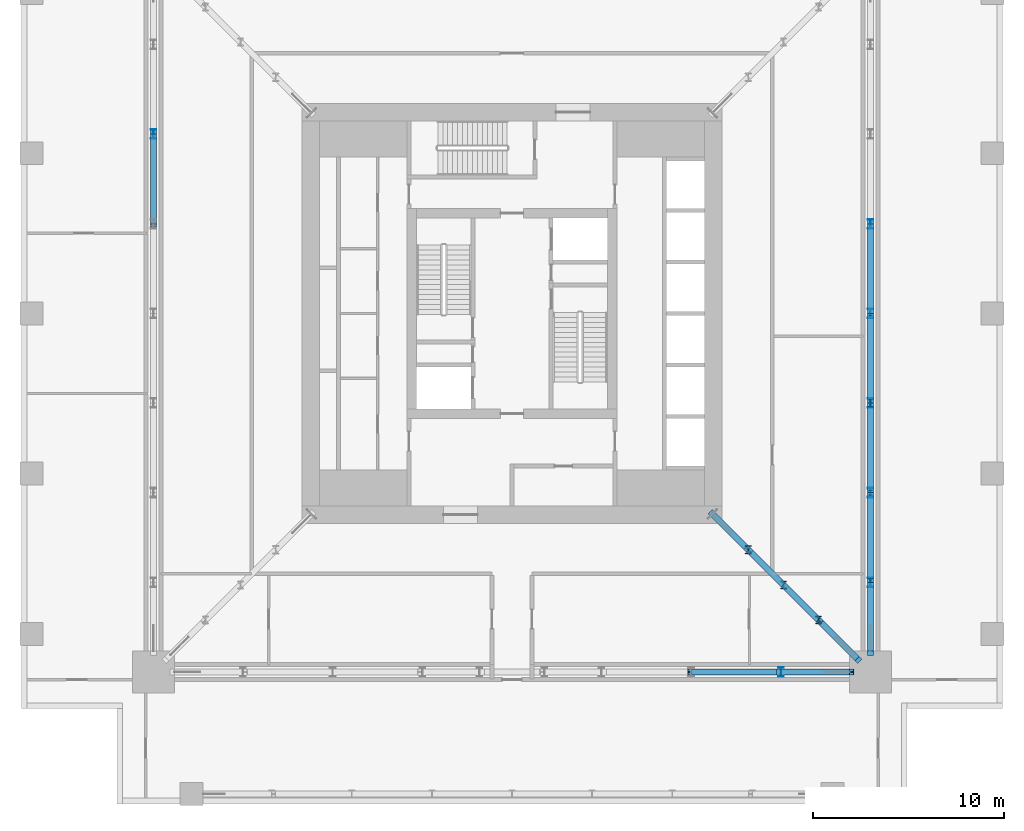
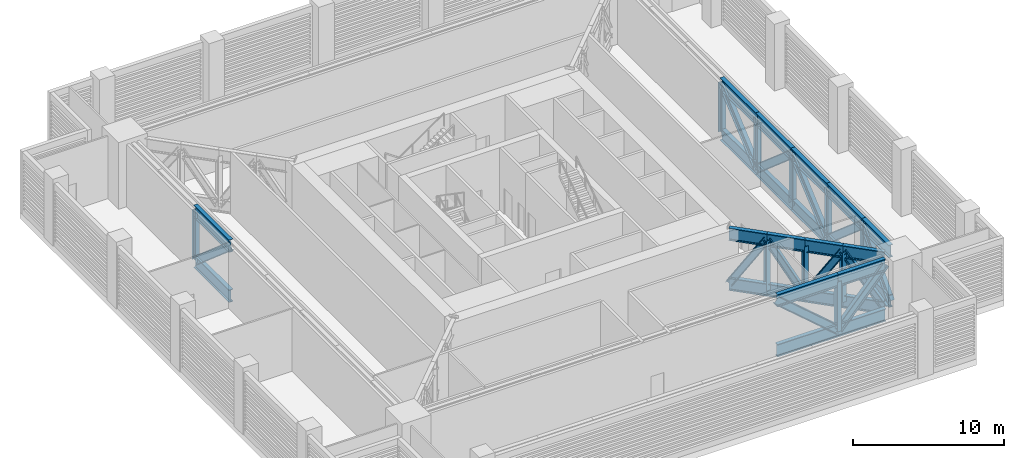
# One storey, part 3 of 16: 46 members.
"""IFC4 building model written with IfcOpenShell, lengths in metres."""

from ifc_helpers import new_model, si_unit, direction, frame, origin, origin_2d, place, context, subcontext, project, spatial, i_section, extrude, material, material_profile, profile_set, type_object, element, save


model = new_model("IFC4")

# Units and contexts
model_context = context("Model", 3, precision=1e-05, world=origin(), true_north=direction((0.0, 1.0)))
body_context = subcontext(model_context, "Body", "Model", "MODEL_VIEW")
ifc_project = project(units=[si_unit("LENGTHUNIT", "METRE"), si_unit("AREAUNIT", "SQUARE_METRE"), si_unit("VOLUMEUNIT", "CUBIC_METRE"), si_unit("PLANEANGLEUNIT", "RADIAN"), si_unit("MASSUNIT", "GRAM", prefix="KILO")], contexts=[model_context])

# Site, building, storey
site_placement = place(None, origin())
site = spatial("IfcSite", under=ifc_project, at=site_placement, CompositionType="ELEMENT")
building_placement = place(site_placement, origin())
building = spatial("IfcBuilding", under=site, at=building_placement, Name="Khepri Terraces", CompositionType="ELEMENT")
storey_placement = place(building_placement, frame((0.0, 0.0, 287.39990234375)))
storey = spatial("IfcBuildingStorey", under=building, at=storey_placement, Name="L69", CompositionType="ELEMENT", Elevation=287.39990234375)

# Members
ifc_material = material(Name="Steel S355", Category="steel")
ifc_material_profile_1 = material_profile(ifc_material, i_section(OverallWidth=0.302001953125, OverallDepth=1.008056640625, WebThickness=0.02099609375, FlangeThickness=0.0400390625, FilletRadius=0.030029296875, at=origin_2d()), Name="Steel S355", Category="steel")
ifc_profile_set_1 = profile_set([ifc_material_profile_1], Name="Steel S355")
member_type_1 = type_object("IfcMemberType", Name="Belt truss chord HEM 1000", PredefinedType="CHORD", material=ifc_profile_set_1)
for number, where, z_axis, x_axis, name in (
    (1, (9.39990234375, -18.800048828125, 0.504150390625), (1.0, 0.0, 0.0), (0.0, 1.0, 0.0), "Belt truss chord BT-69-S bottom 8"),
    (2, (9.39990234375, -18.800048828125, 4.546142578125), (1.0, 0.0, 0.0), (0.0, 1.0, 0.0), "Belt truss chord BT-69-S top 8"),
):
    element("IfcMember", number, at=place(storey_placement, frame(where, z_axis=z_axis, x_axis=x_axis)), inside=storey, type_object=member_type_1, Name=name, PredefinedType="CHORD", context=body_context, shape_type="SweptSolid", body=[
        extrude(i_section(OverallWidth=0.302001953125, OverallDepth=1.008056640625, WebThickness=0.02099609375, FlangeThickness=0.0400390625, FilletRadius=0.030029296875, at=origin_2d()), origin(), (0.0, 0.0, 1.0), 4.7001953125),
    ])
for number, where, z_axis, x_axis, name in (
    (3, (14.10009765625, -18.800048828125, 0.504150390625), (1.0, 0.0, 0.0), (0.0, 1.0, 0.0), "Belt truss chord BT-69-S bottom 9"),
    (4, (14.10009765625, -18.800048828125, 4.546142578125), (1.0, 0.0, 0.0), (0.0, 1.0, 0.0), "Belt truss chord BT-69-S top 9"),
    (5, (18.800048828125, -17.699951171875, 0.504150390625), (0.0, 1.0, 0.0), (-1.0, 0.0, 0.0), "Belt truss chord BT-69-E bottom 1"),
    (6, (18.800048828125, -17.699951171875, 4.546142578125), (0.0, 1.0, 0.0), (-1.0, 0.0, 0.0), "Belt truss chord BT-69-E top 1"),
):
    element("IfcMember", number, at=place(storey_placement, frame(where, z_axis=z_axis, x_axis=x_axis)), inside=storey, type_object=member_type_1, Name=name, PredefinedType="CHORD", context=body_context, shape_type="SweptSolid", body=[
        extrude(i_section(OverallWidth=0.302001953125, OverallDepth=1.008056640625, WebThickness=0.02099609375, FlangeThickness=0.0400390625, FilletRadius=0.030029296875, at=origin_2d()), origin(), (0.0, 0.0, 1.0), 3.599853515625),
    ])
for number, where, z_axis, x_axis, name in (
    (7, (18.800048828125, -14.10009765625, 0.504150390625), (0.0, 1.0, 0.0), (-1.0, 0.0, 0.0), "Belt truss chord BT-69-E bottom 2"),
    (8, (18.800048828125, -14.10009765625, 4.546142578125), (0.0, 1.0, 0.0), (-1.0, 0.0, 0.0), "Belt truss chord BT-69-E top 2"),
):
    element("IfcMember", number, at=place(storey_placement, frame(where, z_axis=z_axis, x_axis=x_axis)), inside=storey, type_object=member_type_1, Name=name, PredefinedType="CHORD", context=body_context, shape_type="SweptSolid", body=[
        extrude(i_section(OverallWidth=0.302001953125, OverallDepth=1.008056640625, WebThickness=0.02099609375, FlangeThickness=0.0400390625, FilletRadius=0.030029296875, at=origin_2d()), origin(), (0.0, 0.0, 1.0), 4.7001953125),
    ])
for number, where, z_axis, x_axis, name in (
    (9, (18.800048828125, -9.39990234375, 0.504150390625), (0.0, 1.0, 0.0), (-1.0, 0.0, 0.0), "Belt truss chord BT-69-E bottom 3"),
    (10, (18.800048828125, -9.39990234375, 4.546142578125), (0.0, 1.0, 0.0), (-1.0, 0.0, 0.0), "Belt truss chord BT-69-E top 3"),
    (11, (18.800048828125, -4.699951171875, 0.504150390625), (0.0, 1.0, 0.0), (-1.0, 0.0, 0.0), "Belt truss chord BT-69-E bottom 4"),
    (12, (18.800048828125, -4.699951171875, 4.546142578125), (0.0, 1.0, 0.0), (-1.0, 0.0, 0.0), "Belt truss chord BT-69-E top 4"),
    (13, (18.800048828125, 0.0, 0.504150390625), (0.0, 1.0, 0.0), (-1.0, 0.0, 0.0), "Belt truss chord BT-69-E bottom 5"),
    (14, (18.800048828125, 0.0, 4.546142578125), (0.0, 1.0, 0.0), (-1.0, 0.0, 0.0), "Belt truss chord BT-69-E top 5"),
    (15, (-18.800048828125, 9.39990234375, 0.504150390625), (0.0, -1.0, 0.0), (1.0, 0.0, 0.0), "Belt truss chord BT-69-W bottom 3"),
    (16, (-18.800048828125, 9.39990234375, 4.546142578125), (0.0, -1.0, 0.0), (1.0, 0.0, 0.0), "Belt truss chord BT-69-W top 3"),
):
    element("IfcMember", number, at=place(storey_placement, frame(where, z_axis=z_axis, x_axis=x_axis)), inside=storey, type_object=member_type_1, Name=name, PredefinedType="CHORD", context=body_context, shape_type="SweptSolid", body=[
        extrude(i_section(OverallWidth=0.302001953125, OverallDepth=1.008056640625, WebThickness=0.02099609375, FlangeThickness=0.0400390625, FilletRadius=0.030029296875, at=origin_2d()), origin(), (0.0, 0.0, 1.0), 4.699951171875),
    ])
ifc_material_profile_2 = material_profile(ifc_material, i_section(OverallWidth=0.304931640625, OverallDepth=0.6201171875, WebThickness=0.02099609375, FlangeThickness=0.0400390625, FilletRadius=0.027099609375, at=origin_2d()), Name="Steel S355", Category="steel")
ifc_profile_set_2 = profile_set([ifc_material_profile_2], Name="Steel S355")
member_type_2 = type_object("IfcMemberType", Name="Belt truss diagonal HEM 600", PredefinedType="BRACE", material=ifc_profile_set_2)
member_1_placement = place(storey_placement, frame((9.39990234375, -18.800048828125, 4.546142578125), z_axis=(0.758199214232, 0.0, -0.652022968566), x_axis=(0.0, 1.0, 0.0)))
element("IfcMember", 17, at=member_1_placement, inside=storey, type_object=member_type_2, Name="Belt truss diagonal BT-69-S 8", PredefinedType="BRACE", context=body_context, shape_type="SweptSolid", body=[
    extrude(i_section(OverallWidth=0.304931640625, OverallDepth=0.6201171875, WebThickness=0.02099609375, FlangeThickness=0.0400390625, FilletRadius=0.027099609375, at=origin_2d()), origin(), (0.0, 0.0, 1.0), 6.19921875),
])
for number, where, z_axis, x_axis, name in (
    (18, (14.10009765625, -18.800048828125, 0.504150390625), (0.665083044122, 0.0, 0.746769405119), (0.0, 1.0, 0.0), "Belt truss diagonal BT-69-S 9"),
    (19, (18.800048828125, -17.699951171875, 0.504150390625), (0.0, 0.665083044122, 0.746769405119), (-1.0, 0.0, 0.0), "Belt truss diagonal BT-69-E 1"),
):
    element("IfcMember", number, at=place(storey_placement, frame(where, z_axis=z_axis, x_axis=x_axis)), inside=storey, type_object=member_type_2, Name=name, PredefinedType="BRACE", context=body_context, shape_type="SweptSolid", body=[
        extrude(i_section(OverallWidth=0.304931640625, OverallDepth=0.6201171875, WebThickness=0.02099609375, FlangeThickness=0.0400390625, FilletRadius=0.027099609375, at=origin_2d()), origin(), (0.0, 0.0, 1.0), 5.41259765625),
    ])
member_2_placement = place(storey_placement, frame((18.800048828125, -14.10009765625, 4.546142578125), z_axis=(0.0, 0.758199214232, -0.652022968566), x_axis=(-1.0, 0.0, 0.0)))
element("IfcMember", 20, at=member_2_placement, inside=storey, type_object=member_type_2, Name="Belt truss diagonal BT-69-E 2", PredefinedType="BRACE", context=body_context, shape_type="SweptSolid", body=[
    extrude(i_section(OverallWidth=0.304931640625, OverallDepth=0.6201171875, WebThickness=0.02099609375, FlangeThickness=0.0400390625, FilletRadius=0.027099609375, at=origin_2d()), origin(), (0.0, 0.0, 1.0), 6.19921875),
])
for number, where, z_axis, x_axis, name in (
    (21, (18.800048828125, -9.39990234375, 0.504150390625), (0.0, 0.758182470483, 0.652042438383), (-1.0, 0.0, 0.0), "Belt truss diagonal BT-69-E 3"),
    (22, (18.800048828125, -4.699951171875, 4.546142578125), (0.0, 0.758182470483, -0.652042438383), (-1.0, 0.0, 0.0), "Belt truss diagonal BT-69-E 4"),
    (23, (18.800048828125, 0.0, 0.504150390625), (0.0, 0.758182470483, 0.652042438383), (-1.0, 0.0, 0.0), "Belt truss diagonal BT-69-E 5"),
    (24, (-18.800048828125, 9.39990234375, 0.504150390625), (0.0, -0.758182470483, 0.652042438383), (1.0, 0.0, 0.0), "Belt truss diagonal BT-69-W 3"),
):
    element("IfcMember", number, at=place(storey_placement, frame(where, z_axis=z_axis, x_axis=x_axis)), inside=storey, type_object=member_type_2, Name=name, PredefinedType="BRACE", context=body_context, shape_type="SweptSolid", body=[
        extrude(i_section(OverallWidth=0.304931640625, OverallDepth=0.6201171875, WebThickness=0.02099609375, FlangeThickness=0.0400390625, FilletRadius=0.027099609375, at=origin_2d()), origin(), (0.0, 0.0, 1.0), 6.198974609375),
    ])
ifc_material_profile_3 = material_profile(ifc_material, i_section(OverallWidth=0.300048828125, OverallDepth=0.5, WebThickness=0.014404296875, FlangeThickness=0.028076171875, FilletRadius=0.027099609375, at=origin_2d()), Name="Steel S355", Category="steel")
ifc_profile_set_3 = profile_set([ifc_material_profile_3], Name="Steel S355")
member_type_3 = type_object("IfcMemberType", Name="Belt truss post HEB 500", PredefinedType="POST", material=ifc_profile_set_3)
for number, where, z_axis, x_axis, name in (
    (25, (14.10009765625, -18.800048828125, 0.504150390625), (0.0, 0.0, 1.0), (1.0, 0.0, 0.0), "Belt truss post BT-69-S 8"),
    (26, (18.800048828125, -14.10009765625, 0.504150390625), (0.0, 0.0, 1.0), (1.0, 0.0, 0.0), "Belt truss post BT-69-E 1"),
    (27, (18.800048828125, -9.39990234375, 0.504150390625), (0.0, 0.0, 1.0), (1.0, 0.0, 0.0), "Belt truss post BT-69-E 2"),
    (28, (18.800048828125, -4.699951171875, 0.504150390625), (0.0, 0.0, 1.0), (1.0, 0.0, 0.0), "Belt truss post BT-69-E 3"),
    (29, (18.800048828125, 0.0, 0.504150390625), (0.0, 0.0, 1.0), (1.0, 0.0, 0.0), "Belt truss post BT-69-E 4"),
    (30, (18.800048828125, 4.699951171875, 0.504150390625), (0.0, 0.0, 1.0), (1.0, 0.0, 0.0), "Belt truss post BT-69-E 5"),
    (31, (-18.800048828125, 9.39990234375, 0.504150390625), (0.0, 0.0, 1.0), (1.0, 0.0, 0.0), "Belt truss post BT-69-W 2"),
):
    element("IfcMember", number, at=place(storey_placement, frame(where, z_axis=z_axis, x_axis=x_axis)), inside=storey, type_object=member_type_3, Name=name, PredefinedType="POST", context=body_context, shape_type="SweptSolid", body=[
        extrude(i_section(OverallWidth=0.300048828125, OverallDepth=0.5, WebThickness=0.014404296875, FlangeThickness=0.028076171875, FilletRadius=0.027099609375, at=origin_2d()), origin(), (0.0, 0.0, 1.0), 4.0419921875),
    ])
ifc_material_profile_4 = material_profile(ifc_material, i_section(OverallWidth=0.302001953125, OverallDepth=1.008056640625, WebThickness=0.02099609375, FlangeThickness=0.0400390625, FilletRadius=0.030029296875, at=origin_2d()), Name="Steel S355", Category="steel")
ifc_profile_set_4 = profile_set([ifc_material_profile_4], Name="Steel S355")
member_type_4 = type_object("IfcMemberType", Name="Outrigger chord HEM 1000", PredefinedType="CHORD", material=ifc_profile_set_4)
for number, where, z_axis, x_axis, name in (
    (32, (10.550048828125, -10.550048828125, 0.504150390625), (0.707106781187, -0.707106781187, 0.0), (0.707106781187, 0.707106781187, 0.0), "Outrigger chord OT-69-ES bottom 1"),
    (33, (10.550048828125, -10.550048828125, 4.546142578125), (0.707106781187, -0.707106781187, 0.0), (0.707106781187, 0.707106781187, 0.0), "Outrigger chord OT-69-ES top 1"),
):
    element("IfcMember", number, at=place(storey_placement, frame(where, z_axis=z_axis, x_axis=x_axis)), inside=storey, type_object=member_type_4, Name=name, PredefinedType="CHORD", context=body_context, shape_type="SweptSolid", body=[
        extrude(i_section(OverallWidth=0.302001953125, OverallDepth=1.008056640625, WebThickness=0.02099609375, FlangeThickness=0.0400390625, FilletRadius=0.030029296875, at=origin_2d()), origin(), (0.0, 0.0, 1.0), 2.6025390625),
    ])
for number, where, z_axis, x_axis, name in (
    (34, (12.390380859375, -12.390380859375, 0.504150390625), (0.707106781187, -0.707106781187, 0.0), (0.707106781187, 0.707106781187, 0.0), "Outrigger chord OT-69-ES bottom 2"),
    (35, (12.390380859375, -12.390380859375, 4.546142578125), (0.707106781187, -0.707106781187, 0.0), (0.707106781187, 0.707106781187, 0.0), "Outrigger chord OT-69-ES top 2"),
):
    element("IfcMember", number, at=place(storey_placement, frame(where, z_axis=z_axis, x_axis=x_axis)), inside=storey, type_object=member_type_4, Name=name, PredefinedType="CHORD", context=body_context, shape_type="SweptSolid", body=[
        extrude(i_section(OverallWidth=0.302001953125, OverallDepth=1.008056640625, WebThickness=0.02099609375, FlangeThickness=0.0400390625, FilletRadius=0.030029296875, at=origin_2d()), origin(), (0.0, 0.0, 1.0), 2.603271484375),
    ])
for number, where, z_axis, x_axis, name in (
    (36, (14.231201171875, -14.231201171875, 0.504150390625), (0.707106781187, -0.707106781187, 0.0), (0.707106781187, 0.707106781187, 0.0), "Outrigger chord OT-69-ES bottom 3"),
    (37, (14.231201171875, -14.231201171875, 4.546142578125), (0.707106781187, -0.707106781187, 0.0), (0.707106781187, 0.707106781187, 0.0), "Outrigger chord OT-69-ES top 3"),
):
    element("IfcMember", number, at=place(storey_placement, frame(where, z_axis=z_axis, x_axis=x_axis)), inside=storey, type_object=member_type_4, Name=name, PredefinedType="CHORD", context=body_context, shape_type="SweptSolid", body=[
        extrude(i_section(OverallWidth=0.302001953125, OverallDepth=1.008056640625, WebThickness=0.02099609375, FlangeThickness=0.0400390625, FilletRadius=0.030029296875, at=origin_2d()), origin(), (0.0, 0.0, 1.0), 2.6025390625),
    ])
for number, where, z_axis, x_axis, name in (
    (38, (16.071533203125, -16.071533203125, 0.504150390625), (0.707106781187, -0.707106781187, 0.0), (0.707106781187, 0.707106781187, 0.0), "Outrigger chord OT-69-ES bottom 4"),
    (39, (16.071533203125, -16.071533203125, 4.546142578125), (0.707106781187, -0.707106781187, 0.0), (0.707106781187, 0.707106781187, 0.0), "Outrigger chord OT-69-ES top 4"),
):
    element("IfcMember", number, at=place(storey_placement, frame(where, z_axis=z_axis, x_axis=x_axis)), inside=storey, type_object=member_type_4, Name=name, PredefinedType="CHORD", context=body_context, shape_type="SweptSolid", body=[
        extrude(i_section(OverallWidth=0.302001953125, OverallDepth=1.008056640625, WebThickness=0.02099609375, FlangeThickness=0.0400390625, FilletRadius=0.030029296875, at=origin_2d()), origin(), (0.0, 0.0, 1.0), 2.85888671875),
    ])
ifc_material_profile_5 = material_profile(ifc_material, i_section(OverallWidth=0.305908203125, OverallDepth=0.52392578125, WebThickness=0.02099609375, FlangeThickness=0.0400390625, FilletRadius=0.027099609375, at=origin_2d()), Name="Steel S355", Category="steel")
ifc_profile_set_5 = profile_set([ifc_material_profile_5], Name="Steel S355")
member_type_5 = type_object("IfcMemberType", Name="Outrigger diagonal HEM 500", PredefinedType="BRACE", material=ifc_profile_set_5)
member_3_placement = place(storey_placement, frame((10.550048828125, -10.550048828125, 0.504150390625), z_axis=(0.382810266556, -0.382810266556, 0.840780946286), x_axis=(0.707106781187, 0.707106781187, 0.0)))
element("IfcMember", 40, at=member_3_placement, inside=storey, type_object=member_type_5, Name="Outrigger diagonal OT-69-ES 1", PredefinedType="BRACE", context=body_context, shape_type="SweptSolid", body=[
    extrude(i_section(OverallWidth=0.305908203125, OverallDepth=0.52392578125, WebThickness=0.02099609375, FlangeThickness=0.0400390625, FilletRadius=0.027099609375, at=origin_2d()), origin(), (0.0, 0.0, 1.0), 4.807373046875),
])
member_4_placement = place(storey_placement, frame((12.390380859375, -12.390380859375, 4.546142578125), z_axis=(0.38288205797, -0.38288205797, -0.840715563892), x_axis=(0.707106781187, 0.707106781187, 0.0)))
element("IfcMember", 41, at=member_4_placement, inside=storey, type_object=member_type_5, Name="Outrigger diagonal OT-69-ES 2", PredefinedType="BRACE", context=body_context, shape_type="SweptSolid", body=[
    extrude(i_section(OverallWidth=0.305908203125, OverallDepth=0.52392578125, WebThickness=0.02099609375, FlangeThickness=0.0400390625, FilletRadius=0.027099609375, at=origin_2d()), origin(), (0.0, 0.0, 1.0), 4.807861328125),
])
member_5_placement = place(storey_placement, frame((14.231201171875, -14.231201171875, 0.504150390625), z_axis=(0.382810266556, -0.382810266556, 0.840780946286), x_axis=(0.707106781187, 0.707106781187, 0.0)))
element("IfcMember", 42, at=member_5_placement, inside=storey, type_object=member_type_5, Name="Outrigger diagonal OT-69-ES 3", PredefinedType="BRACE", context=body_context, shape_type="SweptSolid", body=[
    extrude(i_section(OverallWidth=0.305908203125, OverallDepth=0.52392578125, WebThickness=0.02099609375, FlangeThickness=0.0400390625, FilletRadius=0.027099609375, at=origin_2d()), origin(), (0.0, 0.0, 1.0), 4.807373046875),
])
member_6_placement = place(storey_placement, frame((16.071533203125, -16.071533203125, 4.546142578125), z_axis=(0.408314038869, -0.408314038869, -0.81643082458), x_axis=(0.707106781187, 0.707106781187, 0.0)))
element("IfcMember", 43, at=member_6_placement, inside=storey, type_object=member_type_5, Name="Outrigger diagonal OT-69-ES 4", PredefinedType="BRACE", context=body_context, shape_type="SweptSolid", body=[
    extrude(i_section(OverallWidth=0.305908203125, OverallDepth=0.52392578125, WebThickness=0.02099609375, FlangeThickness=0.0400390625, FilletRadius=0.027099609375, at=origin_2d()), origin(), (0.0, 0.0, 1.0), 4.950927734375),
])
ifc_material_profile_6 = material_profile(ifc_material, i_section(OverallWidth=0.300048828125, OverallDepth=0.39990234375, WebThickness=0.013427734375, FlangeThickness=0.02392578125, FilletRadius=0.027099609375, at=origin_2d()), Name="Steel S355", Category="steel")
ifc_profile_set_6 = profile_set([ifc_material_profile_6], Name="Steel S355")
member_type_6 = type_object("IfcMemberType", Name="Outrigger post HEB 400", PredefinedType="POST", material=ifc_profile_set_6)
for number, where, z_axis, x_axis, name in (
    (44, (12.390380859375, -12.390380859375, 0.504150390625), (0.0, 0.0, 1.0), (1.0, 0.0, 0.0), "Outrigger post OT-69-ES 1"),
    (45, (14.231201171875, -14.231201171875, 0.504150390625), (0.0, 0.0, 1.0), (1.0, 0.0, 0.0), "Outrigger post OT-69-ES 2"),
    (46, (16.071533203125, -16.071533203125, 0.504150390625), (0.0, 0.0, 1.0), (1.0, 0.0, 0.0), "Outrigger post OT-69-ES 3"),
):
    element("IfcMember", number, at=place(storey_placement, frame(where, z_axis=z_axis, x_axis=x_axis)), inside=storey, type_object=member_type_6, Name=name, PredefinedType="POST", context=body_context, shape_type="SweptSolid", body=[
        extrude(i_section(OverallWidth=0.300048828125, OverallDepth=0.39990234375, WebThickness=0.013427734375, FlangeThickness=0.02392578125, FilletRadius=0.027099609375, at=origin_2d()), origin(), (0.0, 0.0, 1.0), 4.0419921875),
    ])

save(model, "model.ifc")
